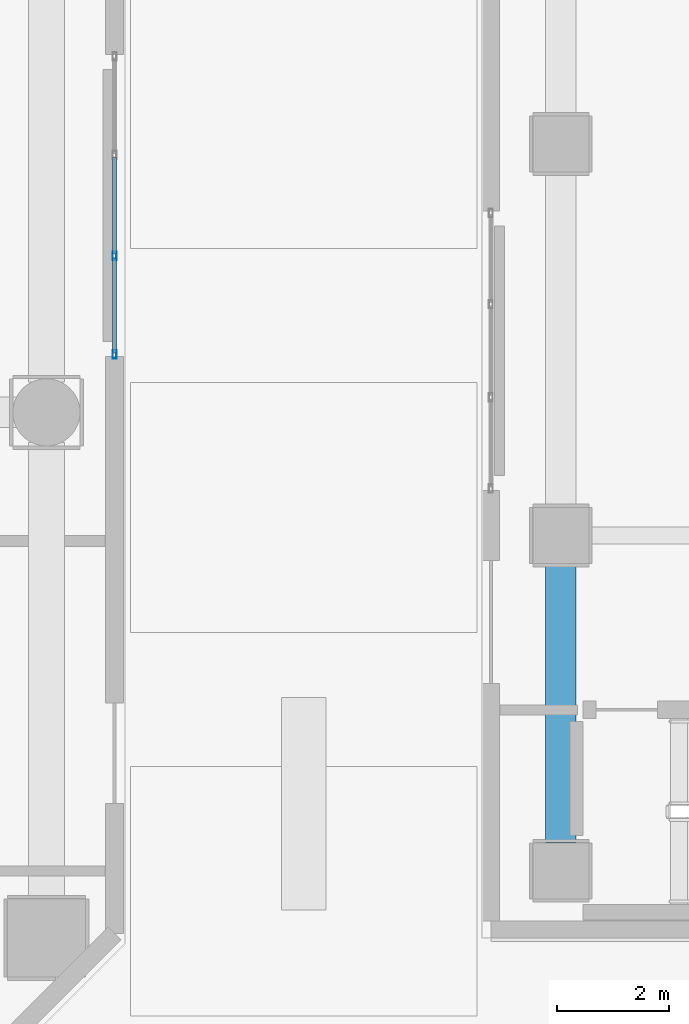
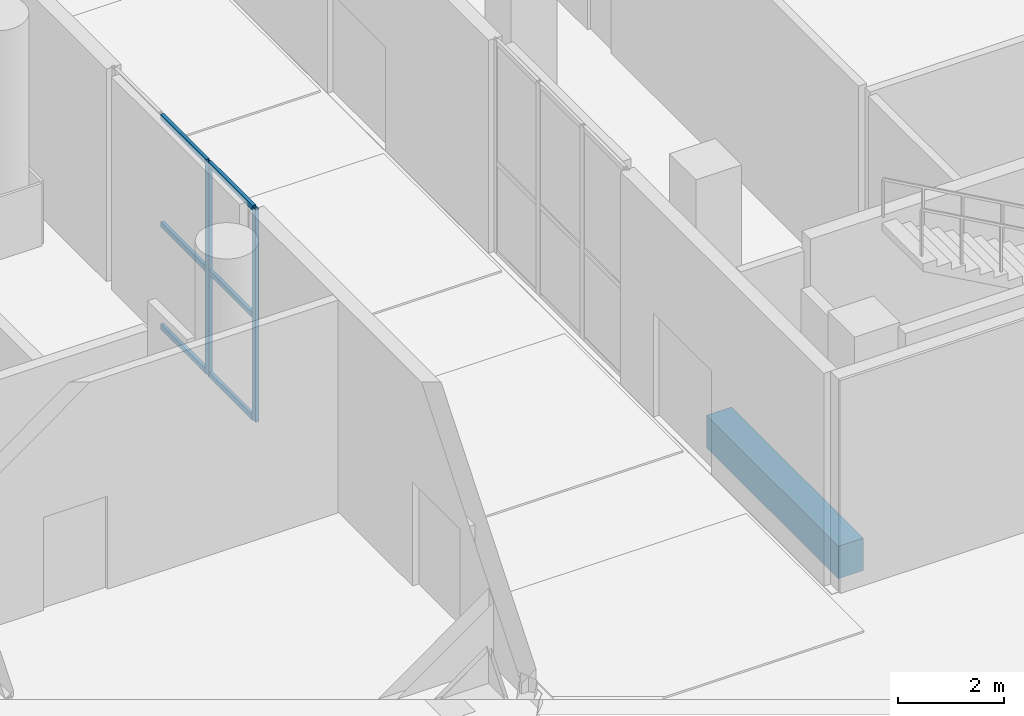
# One storey, part 8 of 30: 8 members, 1 beam, 1 element without a shape of its own.
"""IFC4 building model written with IfcOpenShell, lengths in metres."""

from ifc_helpers import new_model, si_unit, direction, frame, origin, origin_2d, place, context, subcontext, project, spatial, rectangle, hollow_rectangle, extrude, material, layer, layer_set, material_profile, profile_set, type_object, element, aggregate, save


model = new_model("IFC4")

# Units and contexts
model_context = context("Model", 3, precision=1e-05, world=origin(), true_north=direction((0.0, 1.0)))
body_context = subcontext(model_context, "Body", "Model", "MODEL_VIEW")
ifc_project = project(units=[si_unit("LENGTHUNIT", "METRE"), si_unit("AREAUNIT", "SQUARE_METRE"), si_unit("VOLUMEUNIT", "CUBIC_METRE"), si_unit("PLANEANGLEUNIT", "RADIAN"), si_unit("MASSUNIT", "GRAM", prefix="KILO")], contexts=[model_context])

# Site, building, storey
site_placement = place(None, origin())
site = spatial("IfcSite", under=ifc_project, at=site_placement, CompositionType="ELEMENT")
building_placement = place(site_placement, origin())
building = spatial("IfcBuilding", under=site, at=building_placement, Name="Solanera Arch Residences", CompositionType="ELEMENT")
storey_placement = place(building_placement, origin())
storey = spatial("IfcBuildingStorey", under=building, at=storey_placement, Name="L00", CompositionType="ELEMENT", Elevation=0.0)

# Curtain wall, members
ifc_material_1 = material(Name="Anodised Aluminium Alloy 6063-T6", Category="aluminium")
ifc_layer = layer(ifc_material_1, 0.14990234375)
ifc_layer_set = layer_set([ifc_layer], Name="Anodised Aluminium Alloy 6063-T6")
curtain_wall_type = type_object("IfcCurtainWallType", Name="CW-2 Paseo Shopfront Glazing", PredefinedType="USERDEFINED", material=ifc_layer_set)
curtain_wall_placement = place(storey_placement, origin())
curtain_wall = element("IfcCurtainWall", 1, at=curtain_wall_placement, inside=storey, type_object=curtain_wall_type, Name="L00 Paseo Shopfront Curtain Wall 2", ObjectType="CURTAIN_WALL", PredefinedType="USERDEFINED")
ifc_material_2 = material(Name="Anodised Aluminium Alloy 6063-T6", Category="aluminium")
ifc_material_profile_1 = material_profile(ifc_material_2, hollow_rectangle(XDim=0.070068359375, YDim=0.14990234375, WallThickness=0.00390625, at=origin_2d()))
ifc_profile_set_1 = profile_set([ifc_material_profile_1], Name="Anodised Aluminium Alloy 6063-T6")
member_type_1 = type_object("IfcMemberType", Name="Curtain Wall Mullion ALU-MUL-70X150", PredefinedType="MULLION", material=ifc_profile_set_1)
member_1_placement = place(storey_placement, frame((47.820068359375, 24.800048828125, 0.0), z_axis=(0.0, 0.0, 1.0), x_axis=(1.0, 0.0, 0.0)))
member_1 = element("IfcMember", 2, at=member_1_placement, type_object=member_type_1, Name="CW-2 mullion 3", PredefinedType="MULLION", context=body_context, shape_type="SweptSolid", body=[
    extrude(hollow_rectangle(XDim=0.070068359375, YDim=0.14990234375, WallThickness=0.00390625, at=origin_2d()), origin(), (0.0, 0.0, 1.0), 4.919921875),
])
member_2_placement = place(storey_placement, frame((47.820068359375, 23.034912109375, 0.0), z_axis=(0.0, 0.0, 1.0), x_axis=(1.0, 0.0, 0.0)))
member_2 = element("IfcMember", 3, at=member_2_placement, type_object=member_type_1, Name="CW-2 mullion 4", PredefinedType="MULLION", context=body_context, shape_type="SweptSolid", body=[
    extrude(hollow_rectangle(XDim=0.070068359375, YDim=0.14990234375, WallThickness=0.00390625, at=origin_2d()), origin(), (0.0, 0.0, 1.0), 4.919921875),
])
ifc_material_3 = material(Name="Anodised Aluminium Alloy 6063-T6", Category="aluminium")
ifc_material_profile_2 = material_profile(ifc_material_3, hollow_rectangle(XDim=0.070068359375, YDim=0.1201171875, WallThickness=0.00390625, at=origin_2d()))
ifc_profile_set_2 = profile_set([ifc_material_profile_2], Name="Anodised Aluminium Alloy 6063-T6")
member_type_2 = type_object("IfcMemberType", Name="Curtain Wall Transom ALU-TRN-70X120", PredefinedType="USERDEFINED", material=ifc_profile_set_2)
member_3_placement = place(storey_placement, frame((47.820068359375, 26.56494140625, 0.034912109375), z_axis=(0.0, -1.0, 0.0), x_axis=(1.0, 0.0, 0.0)))
member_3 = element("IfcMember", 4, at=member_3_placement, type_object=member_type_2, Name="CW-2 transom 2.1", ObjectType="TRANSOM", PredefinedType="USERDEFINED", context=body_context, shape_type="SweptSolid", body=[
    extrude(hollow_rectangle(XDim=0.070068359375, YDim=0.1201171875, WallThickness=0.00390625, at=origin_2d()), origin(), (0.0, 0.0, 1.0), 1.72998046875),
])
member_4_placement = place(storey_placement, frame((47.820068359375, 26.56494140625, 2.39990234375), z_axis=(0.0, -1.0, 0.0), x_axis=(1.0, 0.0, 0.0)))
member_4 = element("IfcMember", 5, at=member_4_placement, type_object=member_type_2, Name="CW-2 transom 2.2", ObjectType="TRANSOM", PredefinedType="USERDEFINED", context=body_context, shape_type="SweptSolid", body=[
    extrude(hollow_rectangle(XDim=0.070068359375, YDim=0.1201171875, WallThickness=0.00390625, at=origin_2d()), origin(), (0.0, 0.0, 1.0), 1.72998046875),
])
member_5_placement = place(storey_placement, frame((47.820068359375, 26.56494140625, 4.885009765625), z_axis=(0.0, -1.0, 0.0), x_axis=(1.0, 0.0, 0.0)))
member_5 = element("IfcMember", 6, at=member_5_placement, type_object=member_type_2, Name="CW-2 transom 2.3", ObjectType="TRANSOM", PredefinedType="USERDEFINED", context=body_context, shape_type="SweptSolid", body=[
    extrude(hollow_rectangle(XDim=0.070068359375, YDim=0.1201171875, WallThickness=0.00390625, at=origin_2d()), origin(), (0.0, 0.0, 1.0), 1.72998046875),
])
member_6_placement = place(storey_placement, frame((47.820068359375, 24.764892578125, 0.034912109375), z_axis=(0.0, -1.0, 0.0), x_axis=(1.0, 0.0, 0.0)))
member_6 = element("IfcMember", 7, at=member_6_placement, type_object=member_type_2, Name="CW-2 transom 3.1", ObjectType="TRANSOM", PredefinedType="USERDEFINED", context=body_context, shape_type="SweptSolid", body=[
    extrude(hollow_rectangle(XDim=0.070068359375, YDim=0.1201171875, WallThickness=0.00390625, at=origin_2d()), origin(), (0.0, 0.0, 1.0), 1.69482421875),
])
member_7_placement = place(storey_placement, frame((47.820068359375, 24.764892578125, 2.39990234375), z_axis=(0.0, -1.0, 0.0), x_axis=(1.0, 0.0, 0.0)))
member_7 = element("IfcMember", 8, at=member_7_placement, type_object=member_type_2, Name="CW-2 transom 3.2", ObjectType="TRANSOM", PredefinedType="USERDEFINED", context=body_context, shape_type="SweptSolid", body=[
    extrude(hollow_rectangle(XDim=0.070068359375, YDim=0.1201171875, WallThickness=0.00390625, at=origin_2d()), origin(), (0.0, 0.0, 1.0), 1.69482421875),
])
member_8_placement = place(storey_placement, frame((47.820068359375, 24.764892578125, 4.885009765625), z_axis=(0.0, -1.0, 0.0), x_axis=(1.0, 0.0, 0.0)))
member_8 = element("IfcMember", 9, at=member_8_placement, type_object=member_type_2, Name="CW-2 transom 3.3", ObjectType="TRANSOM", PredefinedType="USERDEFINED", context=body_context, shape_type="SweptSolid", body=[
    extrude(hollow_rectangle(XDim=0.070068359375, YDim=0.1201171875, WallThickness=0.00390625, at=origin_2d()), origin(), (0.0, 0.0, 1.0), 1.69482421875),
])
aggregate(curtain_wall, [member_1, member_2, member_3, member_4, member_5, member_6, member_7, member_8])

# Beam
ifc_material_4 = material(Name="Concrete C40/50 (f'c = 45 MPa)", Category="concrete")
ifc_material_profile_3 = material_profile(ifc_material_4, rectangle(XDim=0.550048828125, YDim=0.75, at=origin_2d()))
ifc_profile_set_3 = profile_set([ifc_material_profile_3], Name="Concrete C40/50 (f'c = 45 MPa)")
beam_type = type_object("IfcBeamType", Name="Primary Beam RC-BM-550X750", PredefinedType="BEAM", material=ifc_profile_set_3)
beam_placement = place(storey_placement, frame((55.800048828125, 14.300048828125, -0.695068359375), z_axis=(0.0, 1.0, 0.0), x_axis=(-1.0, 0.0, 0.0)))
element("IfcBeam", 10, at=beam_placement, inside=storey, type_object=beam_type, Name="BM-L00-HW-1", PredefinedType="BEAM", context=body_context, shape_type="SweptSolid", body=[
    extrude(rectangle(XDim=0.550048828125, YDim=0.75, at=origin_2d()), origin(), (0.0, 0.0, 1.0), 5.0),
])

save(model, "model.ifc")
